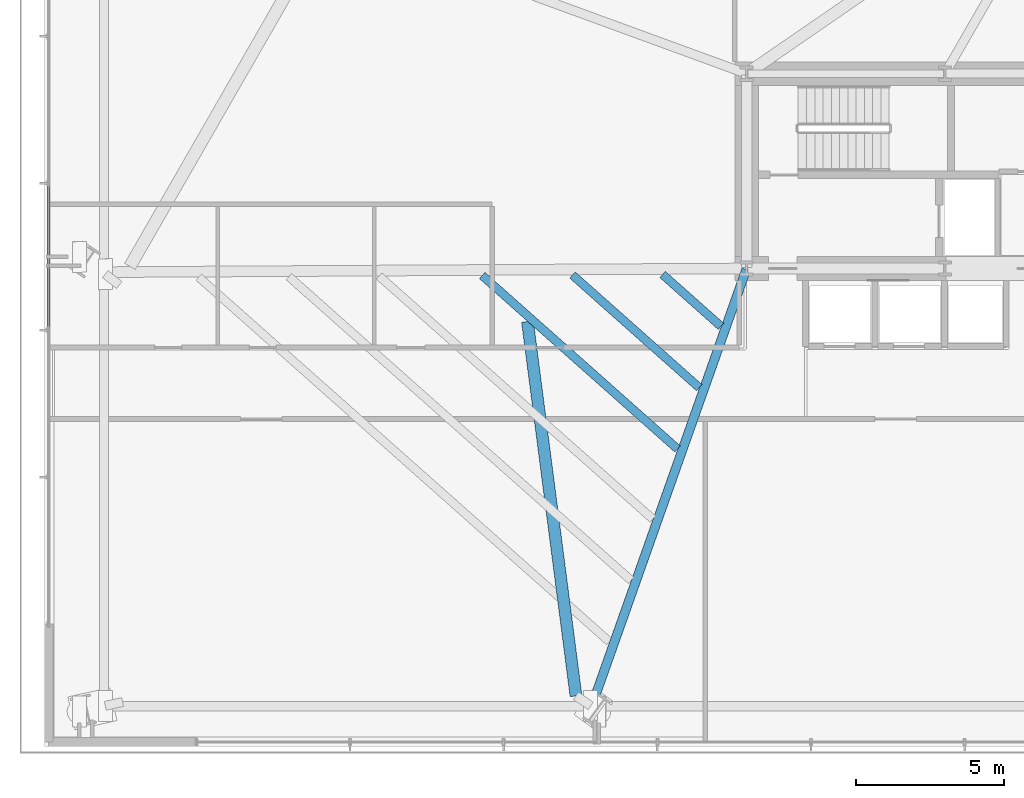
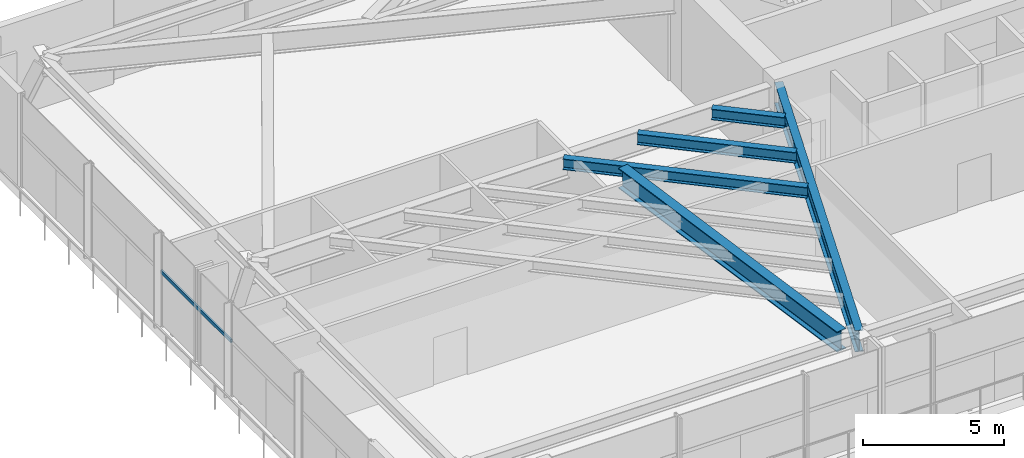
# One storey, part 7 of 33: 5 beams, 1 member, 1 element without a shape of its own.
"""IFC4 building model written with IfcOpenShell, lengths in metres."""

import ifcopenshell
import ifcopenshell.guid

model = None  # the IFC model being written
_history = None  # IfcOwnerHistory: only IFC2X3 demands one
_inside = {}  # id of a spatial element -> (the spatial element, [elements in it])
_under = {}  # id of a project, library or spatial element -> (it, [spatial elements below it])
_declared = {}  # id of a project -> (the project, [libraries it declares])
_typed = {}  # id of a type object -> (the type object, [elements of that type])
_made_of = {}  # id of a material, layer set ... -> (it, [elements and type objects made of it])


def new_model(schema):
    """Start an empty IFC model of exactly this schema.

    Asked for "IFC4X3", IfcOpenShell would pick the latest addendum, in which some entities
    have other attributes; the version numbers below select the first issue.
    IFC2X3 requires an IfcOwnerHistory on every rooted entity: one is made here for all.
    """
    global model, _history
    if schema == "IFC4X3":
        model = ifcopenshell.file(schema_version=(4, 3, 0, 0))
    else:
        model = ifcopenshell.file(schema=schema)
    _inside.clear()
    _under.clear()
    _declared.clear()
    _typed.clear()
    _made_of.clear()
    _history = None
    if model.schema == "IFC2X3":
        org = make("IfcOrganization", Name="unknown")
        user = make(
            "IfcPersonAndOrganization",
            ThePerson=make("IfcPerson", FamilyName="unknown"),
            TheOrganization=org,
        )
        app = make(
            "IfcApplication",
            ApplicationDeveloper=org,
            Version="unknown",
            ApplicationFullName="unknown",
            ApplicationIdentifier="unknown",
        )
        _history = make(
            "IfcOwnerHistory",
            OwningUser=user,
            OwningApplication=app,
            ChangeAction="ADDED",
            CreationDate=0,
        )
    return model


def make(cls, **values):
    """One entity of the class cls with the attributes given. An attribute that is None is left unset."""
    return model.create_entity(
        cls, **{name: value for name, value in values.items() if value is not None}
    )


def rooted(cls, **values):
    """An entity with a GlobalId (a new one), such as an element, a storey or a relation."""
    return make(cls, GlobalId=ifcopenshell.guid.new(), OwnerHistory=_history, **values)


def si_unit(unit_type, name, prefix=None):
    """IfcSIUnit, for example si_unit("LENGTHUNIT", "METRE", prefix="MILLI")."""
    return make("IfcSIUnit", UnitType=unit_type, Prefix=prefix, Name=name)


def assignment(units):
    """IfcUnitAssignment: the units of a project."""
    return None if units is None else make("IfcUnitAssignment", Units=units)


def point(xyz):
    """IfcCartesianPoint."""
    return None if xyz is None else make("IfcCartesianPoint", Coordinates=xyz)


def direction(xyz):
    """IfcDirection."""
    return None if xyz is None else make("IfcDirection", DirectionRatios=xyz)


def frame(location, z_axis=None, x_axis=None):
    """IfcAxis2Placement3D, a coordinate frame: its origin and axes. An axis left out is left unset."""
    return make(
        "IfcAxis2Placement3D",
        Location=point(location),
        Axis=direction(z_axis),
        RefDirection=direction(x_axis),
    )


def frame_2d(location, x_axis=None):
    """IfcAxis2Placement2D, a coordinate frame in the plane: its origin and x axis."""
    return make(
        "IfcAxis2Placement2D", Location=point(location), RefDirection=direction(x_axis)
    )


def origin():
    """The frame at (0, 0, 0) with its axes left unset."""
    return frame((0.0, 0.0, 0.0))


def origin_2d():
    """The frame at (0, 0) in the plane with its x axis left unset."""
    return frame_2d((0.0, 0.0))


def place(relative_to, where):
    """IfcLocalPlacement: puts the frame where relative to a parent placement (None: the world)."""
    return make(
        "IfcLocalPlacement", PlacementRelTo=relative_to, RelativePlacement=where
    )


def context(
    kind, dimensions, precision=None, world=None, true_north=None, identifier=None
):
    """IfcGeometricRepresentationContext, for example the 3D "Model" context."""
    return make(
        "IfcGeometricRepresentationContext",
        ContextIdentifier=identifier,
        ContextType=kind,
        CoordinateSpaceDimension=dimensions,
        Precision=precision,
        WorldCoordinateSystem=world,
        TrueNorth=true_north,
    )


def subcontext(parent, identifier, kind, view, scale=None):
    """IfcGeometricRepresentationSubContext, for example "Body" below "Model"."""
    return make(
        "IfcGeometricRepresentationSubContext",
        ContextIdentifier=identifier,
        ContextType=kind,
        ParentContext=parent,
        TargetScale=scale,
        TargetView=view,
    )


def project(units=None, contexts=None):
    """IfcProject with its units and contexts."""
    return rooted(
        "IfcProject",
        Name="project",
        RepresentationContexts=contexts,
        UnitsInContext=assignment(units),
    )


def spatial(cls, under=None, at=None, **own):
    """A site, building, storey or space (cls), placed at a placement, below another one or the project."""
    s = rooted(cls, ObjectPlacement=at, **own)
    if under is not None:
        _under.setdefault(under.id(), (under, []))[1].append(s)
    return s


def profile(cls, at=None, kind="AREA", **sizes):
    """A parametric profile (cls). Its sizes go by their IFC names, for example OverallWidth=200.0."""
    return make(cls, ProfileType=kind, Position=at, **sizes)


def hollow_rectangle(**sizes):
    """IfcRectangleHollowProfileDef."""
    return profile("IfcRectangleHollowProfileDef", **sizes)


def i_section(**sizes):
    """IfcIShapeProfileDef."""
    return profile("IfcIShapeProfileDef", **sizes)


def extrude(swept, where, along, depth):
    """IfcExtrudedAreaSolid: the profile swept, set in the frame where, extruded along a direction by depth."""
    return make(
        "IfcExtrudedAreaSolid",
        SweptArea=swept,
        Position=where,
        ExtrudedDirection=direction(along),
        Depth=depth,
    )


def shape(context_of_items, identifier, shape_type, items):
    """IfcShapeRepresentation: the items that make up one representation, for example the "Body"."""
    return make(
        "IfcShapeRepresentation",
        ContextOfItems=context_of_items,
        RepresentationIdentifier=identifier,
        RepresentationType=shape_type,
        Items=items,
    )


def source(mapping_origin, context_of_items, identifier, shape_type, items):
    """IfcRepresentationMap: a shape defined once, which mapped items show again and again."""
    return make(
        "IfcRepresentationMap",
        MappingOrigin=mapping_origin,
        MappedRepresentation=shape(context_of_items, identifier, shape_type, items),
    )


def transform(
    local_origin,
    x_axis=None,
    y_axis=None,
    z_axis=None,
    scale=None,
    scale2=None,
    scale3=None,
    uniform=True,
):
    """IfcCartesianTransformationOperator3D, or its non-uniform kind. x_axis, y_axis, z_axis: its Axis1, 2, 3."""
    if uniform:
        return make(
            "IfcCartesianTransformationOperator3D",
            Axis1=direction(x_axis),
            Axis2=direction(y_axis),
            LocalOrigin=point(local_origin),
            Scale=scale,
            Axis3=direction(z_axis),
        )
    return make(
        "IfcCartesianTransformationOperator3DnonUniform",
        Axis1=direction(x_axis),
        Axis2=direction(y_axis),
        LocalOrigin=point(local_origin),
        Scale=scale,
        Axis3=direction(z_axis),
        Scale2=scale2,
        Scale3=scale3,
    )


def mapped(mapping_source, mapping_target):
    """IfcMappedItem: shows the shape of a source again, moved by a transform."""
    return make(
        "IfcMappedItem", MappingSource=mapping_source, MappingTarget=mapping_target
    )


def material(Name=None, Category=None):
    """IfcMaterial."""
    return make("IfcMaterial", Name=Name, Category=Category)


def material_profile(
    of_material, cross_section, Name=None, Category=None, Priority=None
):
    """IfcMaterialProfile: a cross section and its material."""
    return make(
        "IfcMaterialProfile",
        Name=Name,
        Material=of_material,
        Profile=cross_section,
        Priority=Priority,
        Category=Category,
    )


def profile_set(profiles, Name=None, composite=None):
    """IfcMaterialProfileSet."""
    return make(
        "IfcMaterialProfileSet",
        Name=Name,
        MaterialProfiles=profiles,
        CompositeProfile=composite,
    )


def made_of(thing, what):
    """Note that an element or type object is made of a material, layer set ...; save() writes the relation."""
    if what is not None:
        _made_of.setdefault(what.id(), (what, []))[1].append(thing)
    return thing


def type_object(cls, material=None, **own):
    """A type object (cls), such as IfcWallType, which elements share."""
    return made_of(rooted(cls, **own), material)


def type_shapes(of_type, sources):
    """Give a type object the sources (RepresentationMaps) that its elements show as mapped items."""
    of_type.RepresentationMaps = sources


def element(
    cls,
    number,
    at=None,
    inside=None,
    cuts=None,
    type_object=None,
    material=None,
    context=None,
    identifier="Body",
    shape_type=None,
    held_by="IfcProductDefinitionShape",
    body=None,
    shapes=None,
    **own,
):
    """One element of the class cls, such as IfcWall. Its Tag is "e" and its number.

    at: its placement. inside: the storey or other place that contains it. cuts: it is an
    opening in that element (IfcRelVoidsElement). A single representation is given by context,
    identifier, shape_type and body (its items); several are given by shapes. held_by: the class
    of the entity that holds the representations. save() writes the other relations.
    """
    e = rooted(cls, Tag="e%d" % number, ObjectPlacement=at, **own)
    if body is not None:
        shapes = [shape(context, identifier, shape_type, body)]
    if shapes is not None:
        e.Representation = make(held_by, Representations=shapes)
    if inside is not None:
        _inside.setdefault(inside.id(), (inside, []))[1].append(e)
    if cuts is not None:
        rooted(
            "IfcRelVoidsElement", RelatingBuildingElement=cuts, RelatedOpeningElement=e
        )
    if type_object is not None:
        _typed.setdefault(type_object.id(), (type_object, []))[1].append(e)
    return made_of(e, material)


def aggregate(whole, parts):
    """IfcRelAggregates: a whole, such as a stair, and the parts it consists of."""
    return rooted("IfcRelAggregates", RelatingObject=whole, RelatedObjects=parts)


def save(model, path):
    """Write the relations noted so far, then the file.

    IfcRelAggregates (storeys below a building ...), IfcRelContainedInSpatialStructure (elements
    in a storey), IfcRelDefinesByType, IfcRelAssociatesMaterial and IfcRelDeclares: one each for
    every whole, place, type object, material and project.
    """
    for whole, parts in _under.values():
        aggregate(whole, parts)
    for where, things in _inside.values():
        rooted(
            "IfcRelContainedInSpatialStructure",
            RelatedElements=things,
            RelatingStructure=where,
        )
    for kind, things in _typed.values():
        rooted("IfcRelDefinesByType", RelatedObjects=things, RelatingType=kind)
    for what, things in _made_of.values():
        rooted("IfcRelAssociatesMaterial", RelatedObjects=things, RelatingMaterial=what)
    for by, libraries in _declared.values():
        rooted("IfcRelDeclares", RelatingContext=by, RelatedDefinitions=libraries)
    model.write(path)


model = new_model("IFC4")

# Units and contexts
model_context = context("Model", 3, precision=1e-05, world=origin(), true_north=direction((0.0, 1.0)))
body_context = subcontext(model_context, "Body", "Model", "MODEL_VIEW")
ifc_project = project(units=[si_unit("LENGTHUNIT", "METRE"), si_unit("AREAUNIT", "SQUARE_METRE"), si_unit("VOLUMEUNIT", "CUBIC_METRE"), si_unit("PLANEANGLEUNIT", "RADIAN"), si_unit("MASSUNIT", "GRAM", prefix="KILO")], contexts=[model_context])

# Site, building, storey
site_placement = place(None, origin())
site = spatial("IfcSite", under=ifc_project, at=site_placement, CompositionType="ELEMENT")
building_placement = place(site_placement, origin())
building = spatial("IfcBuilding", under=site, at=building_placement, Name="Astriad Promenade Condominiums", CompositionType="ELEMENT")
storey_placement = place(building_placement, frame((0.0, 0.0, 9.5)))
storey = spatial("IfcBuildingStorey", under=building, at=storey_placement, Name="L02", CompositionType="ELEMENT", Elevation=9.5)

# Beams
ifc_material_1 = material(Name="Steel ASTM A992 Grade 50", Category="steel")
ifc_material_profile_1 = material_profile(ifc_material_1, i_section(OverallWidth=0.307861328125, OverallDepth=0.9267578125, WebThickness=0.019287109375, FlangeThickness=0.031982421875, FilletRadius=0.024169921875, at=origin_2d()), Name="W36X194")
ifc_profile_set_1 = profile_set([ifc_material_profile_1], Name="Steel ASTM A992 Grade 50")
beam_type_1 = type_object("IfcBeamType", Name="STEEL PRIMARY GIRDER W36X194", PredefinedType="BEAM", material=ifc_profile_set_1)
shared_shape_1 = source(origin(), body_context, "Body", "SweptSolid", [
    extrude(i_section(OverallWidth=0.307861328125, OverallDepth=0.9267578125, WebThickness=0.019287109375, FlangeThickness=0.031982421875, FilletRadius=0.024169921875, at=origin_2d()), origin(), (0.0, 0.0, 1.0), 15.665283203125),
])
type_shapes(beam_type_1, [shared_shape_1])
beam_1_placement = place(storey_placement, frame((21.159423828125, 2.594970703125, 3.61669921875), z_axis=(0.33368817518, 0.942683510912, 0.0), x_axis=(-0.942683510912, 0.33368817518, 0.0)))
element("IfcBeam", 1, at=beam_1_placement, inside=storey, type_object=beam_type_1, Name="Primary Floor Girder PG-W2-L02", PredefinedType="BEAM", context=body_context, shape_type="MappedRepresentation", body=[
    mapped(shared_shape_1, transform((0.0, 0.0, 0.0), scale=1.0)),
])
ifc_material_profile_2 = material_profile(ifc_material_1, i_section(OverallWidth=0.283203125, OverallDepth=0.47216796875, WebThickness=0.013671875, FlangeThickness=0.022216796875, FilletRadius=0.01513671875, at=origin_2d()), Name="W18X97")
ifc_profile_set_2 = profile_set([ifc_material_profile_2], Name="Steel ASTM A992 Grade 50")
beam_type_2 = type_object("IfcBeamType", Name="STEEL FLOOR JOIST W18X97", PredefinedType="JOIST", material=ifc_profile_set_2)
shared_shape_2 = source(origin(), body_context, "Body", "SweptSolid", [
    extrude(i_section(OverallWidth=0.283203125, OverallDepth=0.47216796875, WebThickness=0.013671875, FlangeThickness=0.022216796875, FilletRadius=0.01513671875, at=origin_2d()), origin(), (0.0, 0.0, 1.0), 8.85498046875),
])
beam_2_placement = place(storey_placement, frame((17.439697265625, 17.16162109375, 3.843994140625), z_axis=(0.747836610021, -0.663882824535, 0.0), x_axis=(0.663882824535, 0.747836610021, 0.0)))
element("IfcBeam", 2, at=beam_2_placement, inside=storey, type_object=beam_type_2, Name="Secondary Composite Floor Joist JW1-4-L02", PredefinedType="JOIST", context=body_context, shape_type="MappedRepresentation", body=[
    mapped(shared_shape_2, transform((0.0, 0.0, 0.0), scale=1.0)),
])
shared_shape_3 = source(origin(), body_context, "Body", "SweptSolid", [
    extrude(i_section(OverallWidth=0.283203125, OverallDepth=0.47216796875, WebThickness=0.013671875, FlangeThickness=0.022216796875, FilletRadius=0.01513671875, at=origin_2d()), origin(), (0.0, 0.0, 1.0), 5.7509765625),
])
beam_3_placement = place(storey_placement, frame((20.496337890625, 17.178955078125, 3.843994140625), z_axis=(0.747844809388, -0.663873588171, 0.0), x_axis=(0.663873588171, 0.747844809388, 0.0)))
element("IfcBeam", 3, at=beam_3_placement, inside=storey, type_object=beam_type_2, Name="Secondary Composite Floor Joist JW1-5-L02", PredefinedType="JOIST", context=body_context, shape_type="MappedRepresentation", body=[
    mapped(shared_shape_3, transform((0.0, 0.0, 0.0), scale=1.0)),
])
shared_shape_4 = source(origin(), body_context, "Body", "SweptSolid", [
    extrude(i_section(OverallWidth=0.283203125, OverallDepth=0.47216796875, WebThickness=0.013671875, FlangeThickness=0.022216796875, FilletRadius=0.01513671875, at=origin_2d()), origin(), (0.0, 0.0, 1.0), 2.647216796875),
])
type_shapes(beam_type_2, [shared_shape_2, shared_shape_3, shared_shape_4])
beam_4_placement = place(storey_placement, frame((23.552978515625, 17.196533203125, 3.843994140625), z_axis=(0.747821308014, -0.663900061215, 0.0), x_axis=(0.663900061215, 0.747821308014, 0.0)))
element("IfcBeam", 4, at=beam_4_placement, inside=storey, type_object=beam_type_2, Name="Secondary Composite Floor Joist JW1-6-L02", PredefinedType="JOIST", context=body_context, shape_type="MappedRepresentation", body=[
    mapped(shared_shape_4, transform((0.0, 0.0, 0.0), scale=1.0)),
])
ifc_material_profile_3 = material_profile(ifc_material_1, i_section(OverallWidth=0.4013671875, OverallDepth=0.877197265625, WebThickness=0.022216796875, FlangeThickness=0.039794921875, FilletRadius=0.02294921875, at=origin_2d()), Name="W33X263")
ifc_profile_set_3 = profile_set([ifc_material_profile_3], Name="Steel ASTM A992 Grade 50")
beam_type_3 = type_object("IfcBeamType", Name="STEEL TRANSFER CARRIER GIRDER W33X263", PredefinedType="BEAM", material=ifc_profile_set_3)
shared_shape_5 = source(origin(), body_context, "Body", "SweptSolid", [
    extrude(i_section(OverallWidth=0.4013671875, OverallDepth=0.877197265625, WebThickness=0.022216796875, FlangeThickness=0.039794921875, FilletRadius=0.02294921875, at=origin_2d()), origin(), (0.0, 0.0, 1.0), 12.79296875),
])
type_shapes(beam_type_3, [shared_shape_5])
beam_5_placement = place(storey_placement, frame((18.973876953125, 15.6015625, 3.6416015625), z_axis=(0.128531436634, -0.991705434994, 0.0), x_axis=(0.991705434994, 0.128531436634, 0.0)))
element("IfcBeam", 5, at=beam_5_placement, inside=storey, type_object=beam_type_3, Name="Transfer Splice Carrier TRM-SP-PC02-L02", PredefinedType="BEAM", context=body_context, shape_type="MappedRepresentation", body=[
    mapped(shared_shape_5, transform((0.0, 0.0, 0.0), scale=1.0)),
])

# Curtain wall, member
ifc_material_2 = material(Name="Anodised aluminium Black Dark Glass Unitised", Category="aluminium")
curtain_wall_type = type_object("IfcCurtainWallType", Name="CW-POD-DARK", PredefinedType="USERDEFINED", material=ifc_material_2)
curtain_wall_placement = place(storey_placement, origin())
curtain_wall = element("IfcCurtainWall", 6, at=curtain_wall_placement, inside=storey, type_object=curtain_wall_type, Name="CW-L02-W", ObjectType="UNITISED_CURTAIN_WALL", PredefinedType="USERDEFINED")
ifc_material_3 = material(Name="Anodised aluminium 6063-T6 Black", Category="aluminium")
ifc_material_profile_4 = material_profile(ifc_material_3, hollow_rectangle(XDim=0.074951171875, YDim=0.14990234375, WallThickness=0.004150390625, at=origin_2d()), Name="ALU-TRN-75X150")
ifc_profile_set_4 = profile_set([ifc_material_profile_4], Name="Anodised aluminium 6063-T6 Black")
member_type = type_object("IfcMemberType", Name="TRN-ALU-TRN-75X150", PredefinedType="USERDEFINED", material=ifc_profile_set_4)
shared_shape_6 = source(origin(), body_context, "Body", "SweptSolid", [
    extrude(hollow_rectangle(XDim=0.074951171875, YDim=0.14990234375, WallThickness=0.004150390625, at=origin_2d()), origin(), (0.0, 0.0, 1.0), 4.97998046875),
])
type_shapes(member_type, [shared_shape_6])
member_placement = place(storey_placement, frame((2.75, 15.31005859375, 2.35009765625), z_axis=(0.0, 1.0, 0.0), x_axis=(-1.0, 0.0, 0.0)))
member = element("IfcMember", 7, at=member_placement, type_object=member_type, Name="CW-L02-W-TRN-02-0", ObjectType="TRANSOM", PredefinedType="USERDEFINED", context=body_context, shape_type="MappedRepresentation", body=[
    mapped(shared_shape_6, transform((0.0, 0.0, 0.0), scale=1.0)),
])
aggregate(curtain_wall, [member])

save(model, "model.ifc")
